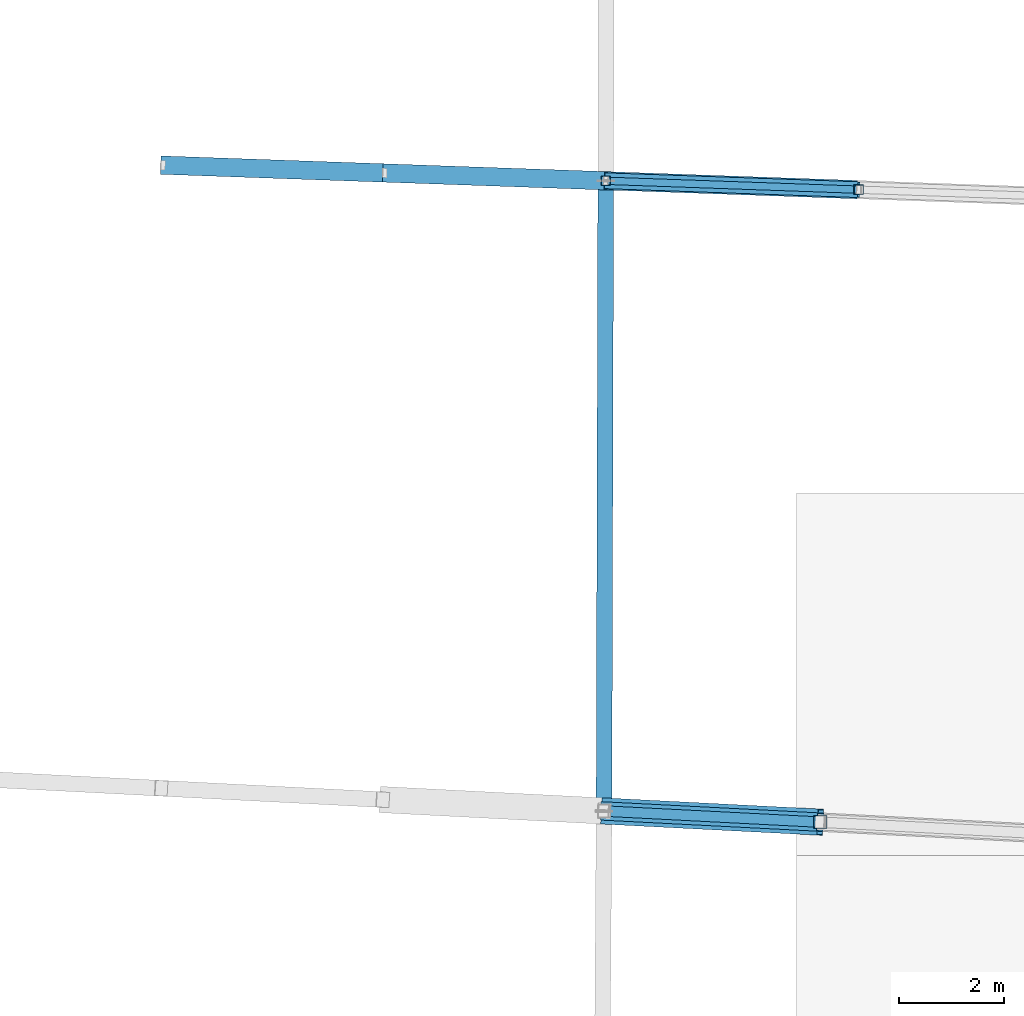
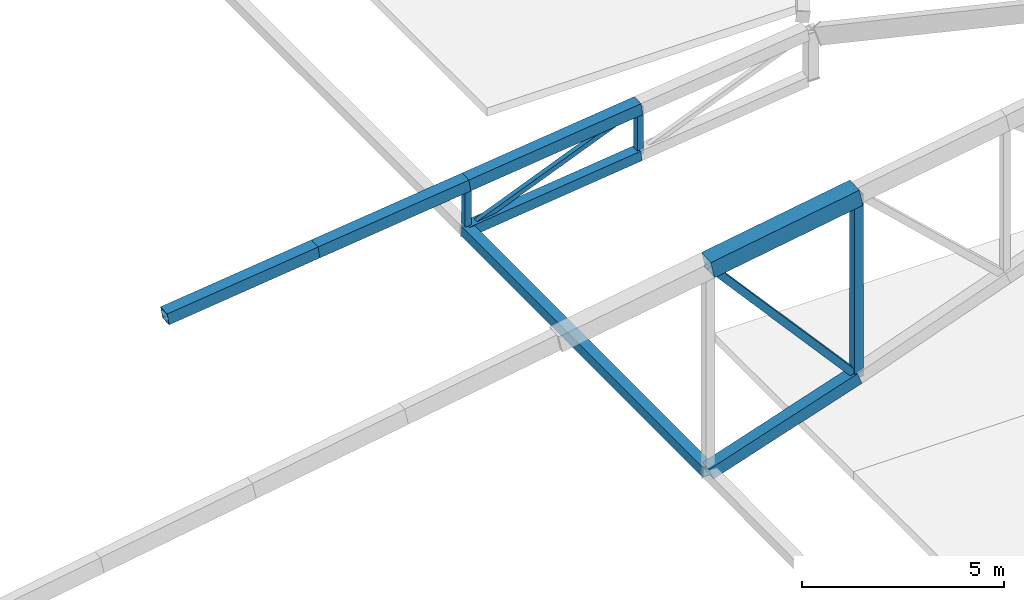
# One storey, part 54 of 188: 12 members.
"""IFC4 building model written with IfcOpenShell, lengths in metres."""

from ifc_helpers import new_model, si_unit, direction, frame, origin, origin_2d, place, context, subcontext, project, spatial, hollow_rectangle, extrude, material, material_profile, profile_set, type_object, element, save


model = new_model("IFC4")

# Units and contexts
model_context = context("Model", 3, precision=1e-05, world=origin(), true_north=direction((0.0, 1.0)))
body_context = subcontext(model_context, "Body", "Model", "MODEL_VIEW")
ifc_project = project(units=[si_unit("LENGTHUNIT", "METRE"), si_unit("AREAUNIT", "SQUARE_METRE"), si_unit("VOLUMEUNIT", "CUBIC_METRE"), si_unit("PLANEANGLEUNIT", "RADIAN"), si_unit("MASSUNIT", "GRAM", prefix="KILO")], contexts=[model_context])

# Site, building, storey
site_placement = place(None, origin())
site = spatial("IfcSite", under=ifc_project, at=site_placement, CompositionType="ELEMENT")
building_placement = place(site_placement, origin())
building = spatial("IfcBuilding", under=site, at=building_placement, Name="Meseta Stadium", CompositionType="ELEMENT")
storey_placement = place(building_placement, frame((0.0, 0.0, 30.0)))
storey = spatial("IfcBuildingStorey", under=building, at=storey_placement, Name="ROOF", CompositionType="ELEMENT", Elevation=30.0)

# Members
ifc_material_1 = material(Name="Steel S355", Category="steel")
ifc_material_profile_1 = material_profile(ifc_material_1, hollow_rectangle(XDim=0.139892578125, YDim=0.139892578125, WallThickness=0.0048828125, at=origin_2d()), Name="SHS 140x140x5")
ifc_profile_set_1 = profile_set([ifc_material_profile_1], Name="Steel S355")
member_type_1 = type_object("IfcMemberType", Name="SHS 140x140x5 diagonal", PredefinedType="BRACE", material=ifc_profile_set_1)
member_1_placement = place(storey_placement, frame((84.97314453125, -18.41064453125, 0.800048828125), z_axis=(0.912575426206, -0.03216879292, 0.407641092442), x_axis=(0.035228677108, 0.999379277506, 0.0)))
element("IfcMember", 1, at=member_1_placement, inside=storey, type_object=member_type_1, Name="ROOF TRUSS RT-03 diagonal", PredefinedType="BRACE", context=body_context, shape_type="SweptSolid", body=[
    extrude(hollow_rectangle(XDim=0.139892578125, YDim=0.139892578125, WallThickness=0.0048828125, at=origin_2d()), origin(), (0.0, 0.0, 1.0), 5.274658203125),
])
ifc_material_2 = material(Name="Steel S355", Category="steel")
ifc_material_profile_2 = material_profile(ifc_material_2, hollow_rectangle(XDim=0.179931640625, YDim=0.179931640625, WallThickness=0.00634765625, at=origin_2d()), Name="SHS 180x180x6.3")
ifc_profile_set_2 = profile_set([ifc_material_profile_2], Name="Steel S355")
member_type_2 = type_object("IfcMemberType", Name="SHS 180x180x6.3 post", PredefinedType="POST", material=ifc_profile_set_2)
for number, where, z_axis, x_axis, name in (
    (2, (84.97314453125, -18.41064453125, 0.800048828125), (0.0, 0.0, 1.0), (1.0, 0.0, 0.0), "ROOF TRUSS RT-03 post"),
    (3, (89.78662109375, -18.580322265625, 1.522216796875), (0.0, 0.0, 1.0), (1.0, 0.0, 0.0), "ROOF TRUSS RT-03 post"),
):
    element("IfcMember", number, at=place(storey_placement, frame(where, z_axis=z_axis, x_axis=x_axis)), inside=storey, type_object=member_type_2, Name=name, PredefinedType="POST", context=body_context, shape_type="SweptSolid", body=[
        extrude(hollow_rectangle(XDim=0.179931640625, YDim=0.179931640625, WallThickness=0.00634765625, at=origin_2d()), origin(), (0.0, 0.0, 1.0), 1.427978515625),
    ])
ifc_material_3 = material(Name="Steel S355", Category="steel")
ifc_material_profile_3 = material_profile(ifc_material_3, hollow_rectangle(XDim=0.199951171875, YDim=0.199951171875, WallThickness=0.008056640625, at=origin_2d()), Name="SHS 200x200x8")
ifc_profile_set_3 = profile_set([ifc_material_profile_3], Name="Steel S355")
member_type_3 = type_object("IfcMemberType", Name="SHS 200x200x8 diagonal", PredefinedType="BRACE", material=ifc_profile_set_3)
member_2_placement = place(storey_placement, frame((84.940673828125, -30.404052734375, 7.00244140625), z_axis=(0.664265361711, -0.034131589133, -0.746717191348), x_axis=(0.051314766261, 0.998682529518, 0.0)))
element("IfcMember", 4, at=member_2_placement, inside=storey, type_object=member_type_3, Name="ROOF TRUSS RT-02 diagonal", PredefinedType="BRACE", context=body_context, shape_type="SweptSolid", body=[
    extrude(hollow_rectangle(XDim=0.199951171875, YDim=0.199951171875, WallThickness=0.008056640625, at=origin_2d()), origin(), (0.0, 0.0, 1.0), 6.1943359375),
])
ifc_material_4 = material(Name="Steel S355", Category="steel")
ifc_material_profile_4 = material_profile(ifc_material_4, hollow_rectangle(XDim=0.25, YDim=0.25, WallThickness=0.010009765625, at=origin_2d()), Name="SHS 250x250x10")
ifc_profile_set_4 = profile_set([ifc_material_profile_4], Name="Steel S355")
member_type_4 = type_object("IfcMemberType", Name="SHS 250x250x10 post", PredefinedType="POST", material=ifc_profile_set_4)
member_3_placement = place(storey_placement, frame((89.055419921875, -30.615478515625, 2.376953125), z_axis=(0.0, 0.0, 1.0), x_axis=(1.0, 0.0, 0.0)))
element("IfcMember", 5, at=member_3_placement, inside=storey, type_object=member_type_4, Name="ROOF TRUSS RT-02 post", PredefinedType="POST", context=body_context, shape_type="SweptSolid", body=[
    extrude(hollow_rectangle(XDim=0.25, YDim=0.25, WallThickness=0.010009765625, at=origin_2d()), origin(), (0.0, 0.0, 1.0), 5.5),
])
ifc_material_5 = material(Name="Steel S355", Category="steel")
ifc_material_profile_5 = material_profile(ifc_material_5, hollow_rectangle(XDim=0.300048828125, YDim=0.300048828125, WallThickness=0.010009765625, at=origin_2d()), Name="SHS 300x300x10")
ifc_profile_set_5 = profile_set([ifc_material_profile_5], Name="Steel S355")
member_type_5 = type_object("IfcMemberType", Name="SHS 300x300x10 bottom chord", PredefinedType="CHORD", material=ifc_profile_set_5)
member_4_placement = place(storey_placement, frame((84.97314453125, -18.41064453125, 0.800048828125), z_axis=(0.988331585982, -0.034839239818, 0.148279814939), x_axis=(0.035228677108, 0.999379277506, 0.0)))
element("IfcMember", 6, at=member_4_placement, inside=storey, type_object=member_type_5, Name="ROOF TRUSS RT-03 bottom chord", PredefinedType="CHORD", context=body_context, shape_type="SweptSolid", body=[
    extrude(hollow_rectangle(XDim=0.300048828125, YDim=0.300048828125, WallThickness=0.010009765625, at=origin_2d()), origin(), (0.0, 0.0, 1.0), 4.870361328125),
])
ifc_material_6 = material(Name="Steel S355", Category="steel")
ifc_material_profile_6 = material_profile(ifc_material_6, hollow_rectangle(XDim=0.300048828125, YDim=0.300048828125, WallThickness=0.010009765625, at=origin_2d()), Name="SHS 300x300x10")
ifc_profile_set_6 = profile_set([ifc_material_profile_6], Name="Steel S355")
member_type_6 = type_object("IfcMemberType", Name="SHS 300x300x10 pivot strut", PredefinedType="STRUT", material=ifc_profile_set_6)
member_5_placement = place(storey_placement, frame((84.940673828125, -30.404052734375, 0.800048828125), z_axis=(0.002707369213, 0.999996335069, 0.0), x_axis=(-0.999996335069, 0.002707369213, 0.0)))
element("IfcMember", 7, at=member_5_placement, inside=storey, type_object=member_type_6, Name="ROOF PIVOT STRUT RT-02/03", PredefinedType="STRUT", context=body_context, shape_type="SweptSolid", body=[
    extrude(hollow_rectangle(XDim=0.300048828125, YDim=0.300048828125, WallThickness=0.010009765625, at=origin_2d()), origin(), (0.0, 0.0, 1.0), 11.993408203125),
])
ifc_material_7 = material(Name="Steel S355", Category="steel")
ifc_material_profile_7 = material_profile(ifc_material_7, hollow_rectangle(XDim=0.35009765625, YDim=0.35009765625, WallThickness=0.010009765625, at=origin_2d()), Name="SHS 350x350x10")
ifc_profile_set_7 = profile_set([ifc_material_profile_7], Name="Steel S355")
member_type_7 = type_object("IfcMemberType", Name="SHS 350x350x10 bottom chord", PredefinedType="CHORD", material=ifc_profile_set_7)
member_6_placement = place(storey_placement, frame((84.940673828125, -30.404052734375, 0.800048828125), z_axis=(0.932704638854, -0.047924659858, 0.357442699796), x_axis=(0.051314766261, 0.998682529518, 0.0)))
element("IfcMember", 8, at=member_6_placement, inside=storey, type_object=member_type_7, Name="ROOF TRUSS RT-02 bottom chord", PredefinedType="CHORD", context=body_context, shape_type="SweptSolid", body=[
    extrude(hollow_rectangle(XDim=0.35009765625, YDim=0.35009765625, WallThickness=0.010009765625, at=origin_2d()), origin(), (0.0, 0.0, 1.0), 4.41162109375),
])
ifc_material_8 = material(Name="Steel S355", Category="steel")
ifc_material_profile_8 = material_profile(ifc_material_8, hollow_rectangle(XDim=0.35009765625, YDim=0.35009765625, WallThickness=0.010009765625, at=origin_2d()), Name="SHS 350x350x10")
ifc_profile_set_8 = profile_set([ifc_material_profile_8], Name="Steel S355")
member_type_8 = type_object("IfcMemberType", Name="SHS 350x350x10 top chord", PredefinedType="CHORD", material=ifc_profile_set_8)
member_7_placement = place(storey_placement, frame((76.533935546875, -18.11328125, 0.9619140625), z_axis=(0.988331847912, -0.03482578808, 0.148281229048), x_axis=(0.035215082554, 0.999379756629, 0.0)))
element("IfcMember", 9, at=member_7_placement, inside=storey, type_object=member_type_8, Name="ROOF TRUSS RT-03 top chord", PredefinedType="CHORD", context=body_context, shape_type="SweptSolid", body=[
    extrude(hollow_rectangle(XDim=0.35009765625, YDim=0.35009765625, WallThickness=0.010009765625, at=origin_2d()), origin(), (0.0, 0.0, 1.0), 4.269287109375),
])
member_8_placement = place(storey_placement, frame((80.75341796875, -18.261962890625, 1.594970703125), z_axis=(0.988333174505, -0.034823819907, 0.148272848964), x_axis=(0.035213047643, 0.999379828331, 0.0)))
element("IfcMember", 10, at=member_8_placement, inside=storey, type_object=member_type_8, Name="ROOF TRUSS RT-03 top chord", PredefinedType="CHORD", context=body_context, shape_type="SweptSolid", body=[
    extrude(hollow_rectangle(XDim=0.35009765625, YDim=0.35009765625, WallThickness=0.010009765625, at=origin_2d()), origin(), (0.0, 0.0, 1.0), 4.26953125),
])
member_9_placement = place(storey_placement, frame((84.97314453125, -18.41064453125, 2.22802734375), z_axis=(0.988331585982, -0.034839239818, 0.148279814939), x_axis=(0.035228677108, 0.999379277506, 0.0)))
element("IfcMember", 11, at=member_9_placement, inside=storey, type_object=member_type_8, Name="ROOF TRUSS RT-03 top chord", PredefinedType="CHORD", context=body_context, shape_type="SweptSolid", body=[
    extrude(hollow_rectangle(XDim=0.35009765625, YDim=0.35009765625, WallThickness=0.010009765625, at=origin_2d()), origin(), (0.0, 0.0, 1.0), 4.870361328125),
])
ifc_material_9 = material(Name="Steel S355", Category="steel")
ifc_material_profile_9 = material_profile(ifc_material_9, hollow_rectangle(XDim=0.5, YDim=0.5, WallThickness=0.01611328125, at=origin_2d()), Name="SHS 500x500x16")
ifc_profile_set_9 = profile_set([ifc_material_profile_9], Name="Steel S355")
member_type_9 = type_object("IfcMemberType", Name="SHS 500x500x16 top chord", PredefinedType="CHORD", material=ifc_profile_set_9)
member_10_placement = place(storey_placement, frame((84.940673828125, -30.404052734375, 7.00244140625), z_axis=(0.976919556662, -0.050196531154, 0.207625836713), x_axis=(0.051314766261, 0.998682529518, 0.0)))
element("IfcMember", 12, at=member_10_placement, inside=storey, type_object=member_type_9, Name="ROOF TRUSS RT-02 top chord", PredefinedType="CHORD", context=body_context, shape_type="SweptSolid", body=[
    extrude(hollow_rectangle(XDim=0.5, YDim=0.5, WallThickness=0.01611328125, at=origin_2d()), origin(), (0.0, 0.0, 1.0), 4.2119140625),
])

save(model, "model.ifc")
